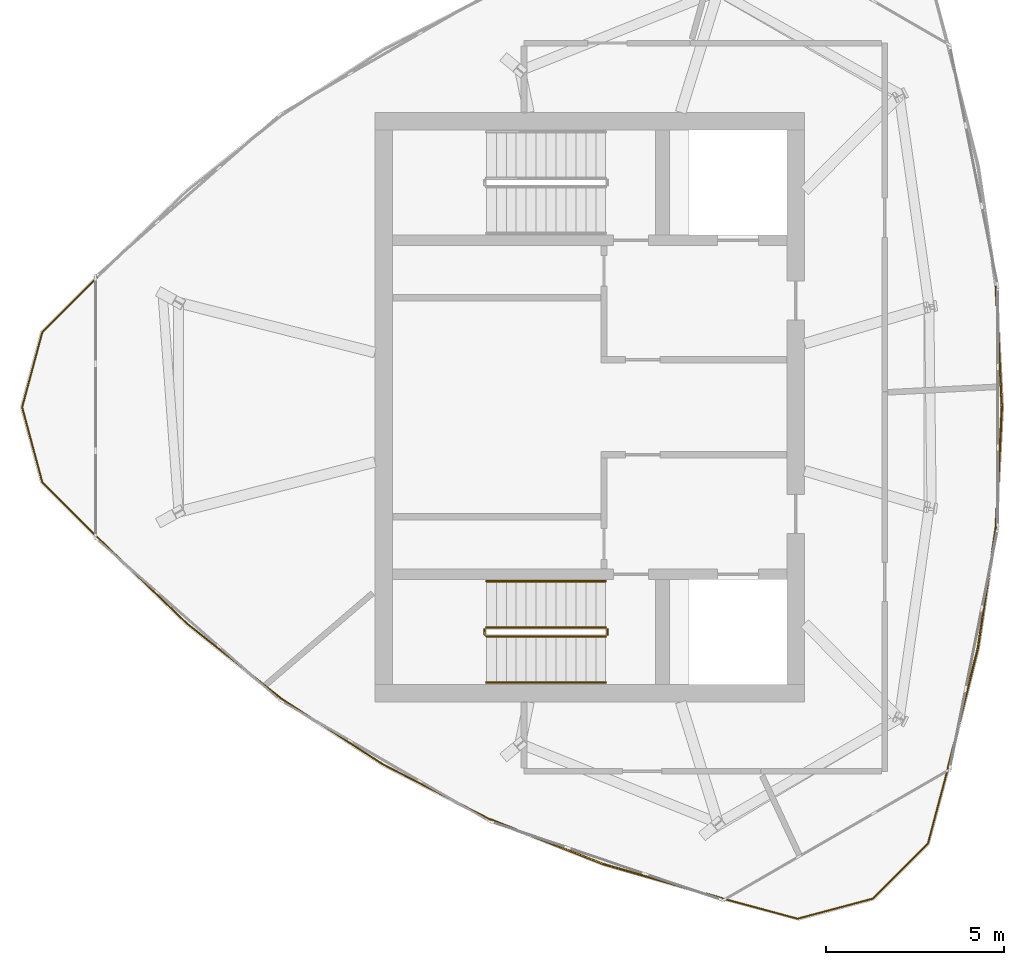
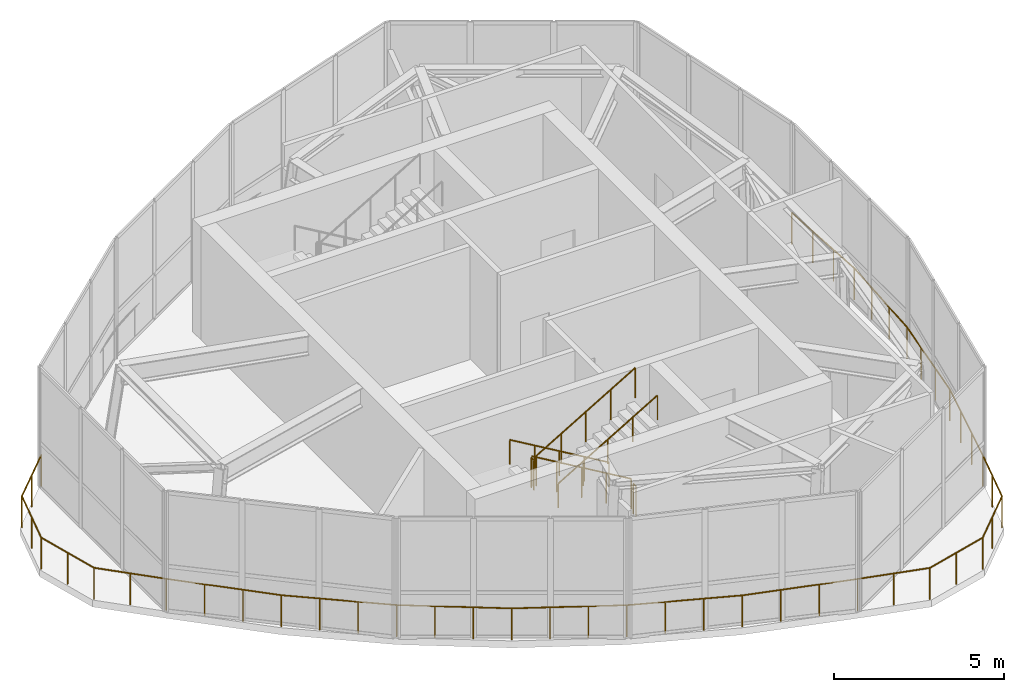
# One storey, part 9 of 10: 13 railings.
"""IFC4 building model written with IfcOpenShell, lengths in metres."""

from ifc_helpers import new_model, si_unit, direction, frame, origin, origin_2d, place, context, subcontext, project, spatial, circle, extrude, source, transform, mapped, material, type_object, element, save


model = new_model("IFC4")

# Units and contexts
model_context = context("Model", 3, precision=1e-05, world=origin(), true_north=direction((0.0, 1.0)))
body_context = subcontext(model_context, "Body", "Model", "MODEL_VIEW")
ifc_project = project(units=[si_unit("LENGTHUNIT", "METRE"), si_unit("AREAUNIT", "SQUARE_METRE"), si_unit("VOLUMEUNIT", "CUBIC_METRE"), si_unit("PLANEANGLEUNIT", "RADIAN"), si_unit("MASSUNIT", "GRAM", prefix="KILO")], contexts=[model_context])

# Site, building, storey
site_placement = place(None, origin())
site = spatial("IfcSite", under=ifc_project, at=site_placement, CompositionType="ELEMENT")
building_placement = place(site_placement, origin())
building = spatial("IfcBuilding", under=site, at=building_placement, Name="Qafzar Sky-Pleat Residences", CompositionType="ELEMENT")
storey_placement = place(building_placement, frame((0.0, 0.0, 270.39990234375)))
storey = spatial("IfcBuildingStorey", under=building, at=storey_placement, Name="L80 Crown", CompositionType="ELEMENT", Elevation=270.39990234375)

# Railings
ifc_material_1 = material(Name="Galvanised and bronze-coated Steel S355 guardrail", Category="steel")
railing_type_1 = type_object("IfcRailingType", Name="RAIL-EXT-1150", PredefinedType="GUARDRAIL", material=ifc_material_1)
shared_shape_1 = source(origin(), body_context, "Body", "SweptSolid", [
    extrude(circle(Radius=0.02392578125, at=origin_2d()), frame((0.0, 0.0, 1.1259765625), z_axis=(-0.708662810567, -0.705547320114, 0.0), x_axis=(0.705547320114, -0.708662810567, 0.0)), (0.0, 0.0, 1.0), 2.194091796875),
    extrude(circle(Radius=0.02392578125, at=origin_2d()), frame((-1.554931640625, -1.548095703125, 1.1259765625), z_axis=(-0.259582076405, -0.965721049584, 0.0), x_axis=(0.965721049584, -0.259582076405, 0.0)), (0.0, 0.0, 1.0), 2.1923828125),
    extrude(circle(Radius=0.02392578125, at=origin_2d()), frame((-2.1240234375, -3.665283203125, 1.1259765625), z_axis=(0.259582076405, -0.965721049584, 0.0), x_axis=(0.965721049584, 0.259582076405, 0.0)), (0.0, 0.0, 1.0), 2.1923828125),
    extrude(circle(Radius=0.02392578125, at=origin_2d()), frame((-1.554931640625, -5.782470703125, 1.1259765625), z_axis=(0.708662810567, -0.705547320114, 0.0), x_axis=(0.705547320114, 0.708662810567, 0.0)), (0.0, 0.0, 1.0), 2.194091796875),
    extrude(circle(Radius=0.02099609375, at=origin_2d()), origin(), (0.0, 0.0, 1.0), 1.101806640625),
    extrude(circle(Radius=0.02099609375, at=origin_2d()), frame((-0.77734375, -0.77392578125, 0.0)), (0.0, 0.0, 1.0), 1.101806640625),
    extrude(circle(Radius=0.02099609375, at=origin_2d()), frame((-1.554931640625, -1.548095703125, 0.0)), (0.0, 0.0, 1.0), 1.101806640625),
    extrude(circle(Radius=0.02099609375, at=origin_2d()), frame((-1.83935546875, -2.606689453125, 0.0)), (0.0, 0.0, 1.0), 1.101806640625),
    extrude(circle(Radius=0.02099609375, at=origin_2d()), frame((-2.1240234375, -3.665283203125, 0.0)), (0.0, 0.0, 1.0), 1.101806640625),
    extrude(circle(Radius=0.02099609375, at=origin_2d()), frame((-1.83935546875, -4.723876953125, 0.0)), (0.0, 0.0, 1.0), 1.101806640625),
    extrude(circle(Radius=0.02099609375, at=origin_2d()), frame((-1.554931640625, -5.782470703125, 0.0)), (0.0, 0.0, 1.0), 1.101806640625),
    extrude(circle(Radius=0.02099609375, at=origin_2d()), frame((-0.77734375, -6.556640625, 0.0)), (0.0, 0.0, 1.0), 1.101806640625),
    extrude(circle(Radius=0.02099609375, at=origin_2d()), frame((0.0, -7.33056640625, 0.0)), (0.0, 0.0, 1.0), 1.101806640625),
])
railing_1_placement = place(storey_placement, frame((16.49609375, 29.665283203125, 0.0)))
element("IfcRailing", 1, at=railing_1_placement, inside=storey, type_object=railing_type_1, Name="L80 Crown Corner Maintenance Guardrail 1", PredefinedType="GUARDRAIL", context=body_context, shape_type="MappedRepresentation", body=[
    mapped(shared_shape_1, transform((0.0, 0.0, 0.0), x_axis=(1.0, 0.0, 0.0), y_axis=(0.0, 1.0, 0.0), z_axis=(0.0, 0.0, 1.0), scale=1.0)),
])
shared_shape_2 = source(origin(), body_context, "Body", "SweptSolid", [
    extrude(circle(Radius=0.02392578125, at=origin_2d()), frame((0.0, 0.0, 1.1259765625), z_axis=(0.72007661969, -0.693894560993, 0.0), x_axis=(0.693894560993, 0.72007661969, 0.0)), (0.0, 0.0, 1.0), 3.487548828125),
    extrude(circle(Radius=0.02392578125, at=origin_2d()), frame((2.51123046875, -2.419921875, 1.1259765625), z_axis=(0.782753665972, -0.622331662707, 0.0), x_axis=(0.622331662707, 0.782753665972, 0.0)), (0.0, 0.0, 1.0), 3.418212890625),
    extrude(circle(Radius=0.02099609375, at=origin_2d()), origin(), (0.0, 0.0, 1.0), 1.101806640625),
    extrude(circle(Radius=0.02099609375, at=origin_2d()), frame((0.837158203125, -0.806640625, 0.0)), (0.0, 0.0, 1.0), 1.101806640625),
    extrude(circle(Radius=0.02099609375, at=origin_2d()), frame((1.674072265625, -1.61328125, 0.0)), (0.0, 0.0, 1.0), 1.101806640625),
    extrude(circle(Radius=0.02099609375, at=origin_2d()), frame((2.51123046875, -2.419921875, 0.0)), (0.0, 0.0, 1.0), 1.101806640625),
    extrude(circle(Radius=0.02099609375, at=origin_2d()), frame((3.403076171875, -3.12890625, 0.0)), (0.0, 0.0, 1.0), 1.101806640625),
    extrude(circle(Radius=0.02099609375, at=origin_2d()), frame((4.294921875, -3.838134765625, 0.0)), (0.0, 0.0, 1.0), 1.101806640625),
    extrude(circle(Radius=0.02099609375, at=origin_2d()), frame((5.186767578125, -4.547119140625, 0.0)), (0.0, 0.0, 1.0), 1.101806640625),
])
railing_2_placement = place(storey_placement, frame((16.49609375, 22.334716796875, 0.0)))
element("IfcRailing", 2, at=railing_2_placement, inside=storey, type_object=railing_type_1, Name="L80 Crown Corner Maintenance Guardrail 2", PredefinedType="GUARDRAIL", context=body_context, shape_type="MappedRepresentation", body=[
    mapped(shared_shape_2, transform((0.0, 0.0, 0.0), x_axis=(1.0, 0.0, 0.0), y_axis=(0.0, 1.0, 0.0), z_axis=(0.0, 0.0, 1.0), scale=1.0)),
])
shared_shape_3 = source(origin(), body_context, "Body", "SweptSolid", [
    extrude(circle(Radius=0.02392578125, at=origin_2d()), frame((0.0, 0.0, 1.1259765625), z_axis=(0.839705624477, -0.543041862311, 0.0), x_axis=(0.543041862311, 0.839705624477, 0.0)), (0.0, 0.0, 1.0), 3.384033203125),
    extrude(circle(Radius=0.02392578125, at=origin_2d()), frame((2.841552734375, -1.837646484375, 1.1259765625), z_axis=(0.889250101292, -0.457421312744, 0.0), x_axis=(0.457421312744, 0.889250101292, 0.0)), (0.0, 0.0, 1.0), 3.386474609375),
    extrude(circle(Radius=0.02099609375, at=origin_2d()), origin(), (0.0, 0.0, 1.0), 1.101806640625),
    extrude(circle(Radius=0.02099609375, at=origin_2d()), frame((0.947265625, -0.612548828125, 0.0)), (0.0, 0.0, 1.0), 1.101806640625),
    extrude(circle(Radius=0.02099609375, at=origin_2d()), frame((1.894287109375, -1.22509765625, 0.0)), (0.0, 0.0, 1.0), 1.101806640625),
    extrude(circle(Radius=0.02099609375, at=origin_2d()), frame((2.841552734375, -1.837646484375, 0.0)), (0.0, 0.0, 1.0), 1.101806640625),
    extrude(circle(Radius=0.02099609375, at=origin_2d()), frame((3.845458984375, -2.35400390625, 0.0)), (0.0, 0.0, 1.0), 1.101806640625),
    extrude(circle(Radius=0.02099609375, at=origin_2d()), frame((4.84912109375, -2.870361328125, 0.0)), (0.0, 0.0, 1.0), 1.101806640625),
    extrude(circle(Radius=0.02099609375, at=origin_2d()), frame((5.85302734375, -3.38671875, 0.0)), (0.0, 0.0, 1.0), 1.101806640625),
])
railing_3_placement = place(storey_placement, frame((21.682861328125, 17.78759765625, 0.0)))
element("IfcRailing", 3, at=railing_3_placement, inside=storey, type_object=railing_type_1, Name="L80 Crown Corner Maintenance Guardrail 3", PredefinedType="GUARDRAIL", context=body_context, shape_type="MappedRepresentation", body=[
    mapped(shared_shape_3, transform((0.0, 0.0, 0.0), x_axis=(1.0, 0.0, 0.0), y_axis=(0.0, 1.0, 0.0), z_axis=(0.0, 0.0, 1.0), scale=1.0)),
])
shared_shape_4 = source(origin(), body_context, "Body", "SweptSolid", [
    extrude(circle(Radius=0.02392578125, at=origin_2d()), frame((0.0, 0.0, 1.1259765625), z_axis=(0.92993009912, -0.367736333193, 0.0), x_axis=(0.367736333193, 0.92993009912, 0.0)), (0.0, 0.0, 1.0), 3.423828125),
    extrude(circle(Radius=0.02392578125, at=origin_2d()), frame((3.183837890625, -1.259033203125, 1.1259765625), z_axis=(0.960880478135, -0.276963367143, 0.0), x_axis=(0.276963367143, 0.960880478135, 0.0)), (0.0, 0.0, 1.0), 3.493408203125),
    extrude(circle(Radius=0.02099609375, at=origin_2d()), origin(), (0.0, 0.0, 1.0), 1.101806640625),
    extrude(circle(Radius=0.02099609375, at=origin_2d()), frame((1.061279296875, -0.419677734375, 0.0)), (0.0, 0.0, 1.0), 1.101806640625),
    extrude(circle(Radius=0.02099609375, at=origin_2d()), frame((2.12255859375, -0.83935546875, 0.0)), (0.0, 0.0, 1.0), 1.101806640625),
    extrude(circle(Radius=0.02099609375, at=origin_2d()), frame((3.183837890625, -1.259033203125, 0.0)), (0.0, 0.0, 1.0), 1.101806640625),
    extrude(circle(Radius=0.02099609375, at=origin_2d()), frame((4.302734375, -1.58154296875, 0.0)), (0.0, 0.0, 1.0), 1.101806640625),
    extrude(circle(Radius=0.02099609375, at=origin_2d()), frame((5.421630859375, -1.904052734375, 0.0)), (0.0, 0.0, 1.0), 1.101806640625),
    extrude(circle(Radius=0.02099609375, at=origin_2d()), frame((6.54052734375, -2.2265625, 0.0)), (0.0, 0.0, 1.0), 1.101806640625),
])
railing_4_placement = place(storey_placement, frame((27.535888671875, 14.40087890625, 0.0)))
element("IfcRailing", 4, at=railing_4_placement, inside=storey, type_object=railing_type_1, Name="L80 Crown Corner Maintenance Guardrail 4", PredefinedType="GUARDRAIL", context=body_context, shape_type="MappedRepresentation", body=[
    mapped(shared_shape_4, transform((0.0, 0.0, 0.0), x_axis=(1.0, 0.0, 0.0), y_axis=(0.0, 1.0, 0.0), z_axis=(0.0, 0.0, 1.0), scale=1.0)),
])
shared_shape_5 = source(origin(), body_context, "Body", "SweptSolid", [
    extrude(circle(Radius=0.02392578125, at=origin_2d()), frame((0.0, 0.0, 1.1259765625), z_axis=(0.96545033274, -0.260587135161, 0.0), x_axis=(0.260587135161, 0.96545033274, 0.0)), (0.0, 0.0, 1.0), 2.197021484375),
    extrude(circle(Radius=0.02392578125, at=origin_2d()), frame((2.12109375, -0.572509765625, 1.1259765625), z_axis=(0.966214627559, 0.257738808664, 0.0), x_axis=(-0.257738808664, 0.966214627559, 0.0)), (0.0, 0.0, 1.0), 2.19482421875),
    extrude(circle(Radius=0.02392578125, at=origin_2d()), frame((4.24169921875, -0.0068359375, 1.1259765625), z_axis=(0.706884210608, 0.70732928173, 0.0), x_axis=(-0.70732928173, 0.706884210608, 0.0)), (0.0, 0.0, 1.0), 2.194091796875),
    extrude(circle(Radius=0.02392578125, at=origin_2d()), frame((5.792724609375, 1.545166015625, 1.1259765625), z_axis=(0.257316576245, 0.966327159708, 0.0), x_axis=(-0.966327159708, 0.257316576245, 0.0)), (0.0, 0.0, 1.0), 2.195556640625),
    extrude(circle(Radius=0.02099609375, at=origin_2d()), origin(), (0.0, 0.0, 1.0), 1.101806640625),
    extrude(circle(Radius=0.02099609375, at=origin_2d()), frame((1.060546875, -0.2861328125, 0.0)), (0.0, 0.0, 1.0), 1.101806640625),
    extrude(circle(Radius=0.02099609375, at=origin_2d()), frame((2.12109375, -0.572509765625, 0.0)), (0.0, 0.0, 1.0), 1.101806640625),
    extrude(circle(Radius=0.02099609375, at=origin_2d()), frame((3.181396484375, -0.28955078125, 0.0)), (0.0, 0.0, 1.0), 1.101806640625),
    extrude(circle(Radius=0.02099609375, at=origin_2d()), frame((4.24169921875, -0.0068359375, 0.0)), (0.0, 0.0, 1.0), 1.101806640625),
    extrude(circle(Radius=0.02099609375, at=origin_2d()), frame((5.01708984375, 0.76904296875, 0.0)), (0.0, 0.0, 1.0), 1.101806640625),
    extrude(circle(Radius=0.02099609375, at=origin_2d()), frame((5.792724609375, 1.545166015625, 0.0)), (0.0, 0.0, 1.0), 1.101806640625),
    extrude(circle(Radius=0.02099609375, at=origin_2d()), frame((6.0751953125, 2.60595703125, 0.0)), (0.0, 0.0, 1.0), 1.101806640625),
    extrude(circle(Radius=0.02099609375, at=origin_2d()), frame((6.357666015625, 3.666748046875, 0.0)), (0.0, 0.0, 1.0), 1.101806640625),
])
railing_5_placement = place(storey_placement, frame((34.076416015625, 12.17431640625, 0.0)))
element("IfcRailing", 5, at=railing_5_placement, inside=storey, type_object=railing_type_1, Name="L80 Crown Corner Maintenance Guardrail 5", PredefinedType="GUARDRAIL", context=body_context, shape_type="MappedRepresentation", body=[
    mapped(shared_shape_5, transform((0.0, 0.0, 0.0), x_axis=(1.0, 0.0, 0.0), y_axis=(0.0, 1.0, 0.0), z_axis=(0.0, 0.0, 1.0), scale=1.0)),
])
shared_shape_6 = source(origin(), body_context, "Body", "SweptSolid", [
    extrude(circle(Radius=0.02392578125, at=origin_2d()), frame((0.0, 0.0, 1.1259765625), z_axis=(0.241383735668, 0.97042974612, 0.0), x_axis=(-0.97042974612, 0.241383735668, 0.0)), (0.0, 0.0, 1.0), 3.491455078125),
    extrude(circle(Radius=0.02392578125, at=origin_2d()), frame((0.8427734375, 3.38818359375, 1.1259765625), z_axis=(0.147548801842, 0.98905477658, 0.0), x_axis=(-0.98905477658, 0.147548801842, 0.0)), (0.0, 0.0, 1.0), 3.42333984375),
    extrude(circle(Radius=0.02099609375, at=origin_2d()), origin(), (0.0, 0.0, 1.0), 1.101806640625),
    extrude(circle(Radius=0.02099609375, at=origin_2d()), frame((0.281005859375, 1.12939453125, 0.0)), (0.0, 0.0, 1.0), 1.101806640625),
    extrude(circle(Radius=0.02099609375, at=origin_2d()), frame((0.561767578125, 2.2587890625, 0.0)), (0.0, 0.0, 1.0), 1.101806640625),
    extrude(circle(Radius=0.02099609375, at=origin_2d()), frame((0.8427734375, 3.38818359375, 0.0)), (0.0, 0.0, 1.0), 1.101806640625),
    extrude(circle(Radius=0.02099609375, at=origin_2d()), frame((1.01123046875, 4.516845703125, 0.0)), (0.0, 0.0, 1.0), 1.101806640625),
    extrude(circle(Radius=0.02099609375, at=origin_2d()), frame((1.179443359375, 5.6455078125, 0.0)), (0.0, 0.0, 1.0), 1.101806640625),
    extrude(circle(Radius=0.02099609375, at=origin_2d()), frame((1.347900390625, 6.774169921875, 0.0)), (0.0, 0.0, 1.0), 1.101806640625),
])
railing_6_placement = place(storey_placement, frame((40.43408203125, 15.841064453125, 0.0)))
element("IfcRailing", 6, at=railing_6_placement, inside=storey, type_object=railing_type_1, Name="L80 Crown Corner Maintenance Guardrail 6", PredefinedType="GUARDRAIL", context=body_context, shape_type="MappedRepresentation", body=[
    mapped(shared_shape_6, transform((0.0, 0.0, 0.0), x_axis=(1.0, 0.0, 0.0), y_axis=(0.0, 1.0, 0.0), z_axis=(0.0, 0.0, 1.0), scale=1.0)),
])
shared_shape_7 = source(origin(), body_context, "Body", "SweptSolid", [
    extrude(circle(Radius=0.02392578125, at=origin_2d()), frame((0.0, 0.0, 1.1259765625), z_axis=(0.04963579974, 0.998767384021, 0.0), x_axis=(-0.998767384021, 0.04963579974, 0.0)), (0.0, 0.0, 1.0), 3.388916015625),
    extrude(circle(Radius=0.02392578125, at=origin_2d()), frame((0.168212890625, 3.384765625, 1.1259765625), z_axis=(-0.04963579974, 0.998767384021, 0.0), x_axis=(-0.998767384021, -0.04963579974, 0.0)), (0.0, 0.0, 1.0), 3.388916015625),
    extrude(circle(Radius=0.02099609375, at=origin_2d()), origin(), (0.0, 0.0, 1.0), 1.101806640625),
    extrude(circle(Radius=0.02099609375, at=origin_2d()), frame((0.05615234375, 1.128173828125, 0.0)), (0.0, 0.0, 1.0), 1.101806640625),
    extrude(circle(Radius=0.02099609375, at=origin_2d()), frame((0.112060546875, 2.256591796875, 0.0)), (0.0, 0.0, 1.0), 1.101806640625),
    extrude(circle(Radius=0.02099609375, at=origin_2d()), frame((0.168212890625, 3.384765625, 0.0)), (0.0, 0.0, 1.0), 1.101806640625),
    extrude(circle(Radius=0.02099609375, at=origin_2d()), frame((0.112060546875, 4.512939453125, 0.0)), (0.0, 0.0, 1.0), 1.101806640625),
    extrude(circle(Radius=0.02099609375, at=origin_2d()), frame((0.05615234375, 5.641357421875, 0.0)), (0.0, 0.0, 1.0), 1.101806640625),
    extrude(circle(Radius=0.02099609375, at=origin_2d()), frame((0.0, 6.76953125, 0.0)), (0.0, 0.0, 1.0), 1.101806640625),
])
railing_7_placement = place(storey_placement, frame((41.781982421875, 22.615234375, 0.0)))
element("IfcRailing", 7, at=railing_7_placement, inside=storey, type_object=railing_type_1, Name="L80 Crown Corner Maintenance Guardrail 7", PredefinedType="GUARDRAIL", context=body_context, shape_type="MappedRepresentation", body=[
    mapped(shared_shape_7, transform((0.0, 0.0, 0.0), x_axis=(1.0, 0.0, 0.0), y_axis=(0.0, 1.0, 0.0), z_axis=(0.0, 0.0, 1.0), scale=1.0)),
])
ifc_material_2 = material(Name="Painted Steel S355 stair guardrail", Category="steel")
railing_type_2 = type_object("IfcRailingType", Name="RAIL-STAIR-GUARD", PredefinedType="GUARDRAIL", material=ifc_material_2)
shared_shape_8 = source(origin(), body_context, "Body", "SweptSolid", [
    extrude(circle(Radius=0.02392578125, at=origin_2d()), frame((0.0, 0.0, 1.076171875), z_axis=(0.0, -1.0, 0.0), x_axis=(1.0, 0.0, 0.0)), (0.0, 0.0, 1.0), 0.14990234375),
    extrude(circle(Radius=0.02099609375, at=origin_2d()), origin(), (0.0, 0.0, 1.0), 1.052001953125),
    extrude(circle(Radius=0.02099609375, at=origin_2d()), frame((0.0, -0.14990234375, 0.0)), (0.0, 0.0, 1.0), 1.052001953125),
])
for number, where, name in (
    (8, (27.389892578125, 19.75, 2.150146484375), "L80 Crown ST1 stair guard 2"),
    (9, (30.85009765625, 19.75, 0.0), "L80 Crown ST1 stair guard 4"),
):
    element("IfcRailing", number, at=place(storey_placement, frame(where)), inside=storey, type_object=railing_type_2, Name=name, PredefinedType="GUARDRAIL", context=body_context, shape_type="MappedRepresentation", body=[
        mapped(shared_shape_8, transform((0.0, 0.0, 0.0), x_axis=(1.0, 0.0, 0.0), y_axis=(0.0, 1.0, 0.0), z_axis=(0.0, 0.0, 1.0), scale=1.0)),
    ])
shared_shape_9 = source(origin(), body_context, "Body", "SweptSolid", [
    extrude(circle(Radius=0.02392578125, at=origin_2d()), frame((0.0, 0.0, 1.076171875), z_axis=(-0.861027394533, 0.0, 0.50855857663), x_axis=(0.0, -1.0, 0.0)), (0.0, 0.0, 1.0), 3.90234375),
    extrude(circle(Radius=0.02099609375, at=origin_2d()), origin(), (0.0, 0.0, 1.0), 1.052001953125),
    extrude(circle(Radius=0.02099609375, at=origin_2d()), frame((-0.840087890625, 0.0, 0.49609375)), (0.0, 0.0, 1.0), 1.052001953125),
    extrude(circle(Radius=0.02099609375, at=origin_2d()), frame((-1.68017578125, 0.0, 0.9921875)), (0.0, 0.0, 1.0), 1.052001953125),
    extrude(circle(Radius=0.02099609375, at=origin_2d()), frame((-2.52001953125, 0.0, 1.488525390625)), (0.0, 0.0, 1.0), 1.052001953125),
    extrude(circle(Radius=0.02099609375, at=origin_2d()), frame((-3.360107421875, 0.0, 1.984619140625)), (0.0, 0.0, 1.0), 1.052001953125),
])
railing_8_placement = place(storey_placement, frame((30.800048828125, 19.800048828125, 0.16552734375)))
element("IfcRailing", 10, at=railing_8_placement, inside=storey, type_object=railing_type_2, Name="L80 Crown ST1 stair guard 1", PredefinedType="GUARDRAIL", context=body_context, shape_type="MappedRepresentation", body=[
    mapped(shared_shape_9, transform((0.0, 0.0, 0.0), x_axis=(1.0, 0.0, 0.0), y_axis=(0.0, 1.0, 0.0), z_axis=(0.0, 0.0, 1.0), scale=1.0)),
])
shared_shape_10 = source(origin(), body_context, "Body", "SweptSolid", [
    extrude(circle(Radius=0.02392578125, at=origin_2d()), frame((0.0, 0.0, 1.076171875), z_axis=(0.861027394533, 0.0, 0.50855857663), x_axis=(0.0, 1.0, 0.0)), (0.0, 0.0, 1.0), 3.90234375),
    extrude(circle(Radius=0.02099609375, at=origin_2d()), origin(), (0.0, 0.0, 1.0), 1.052001953125),
    extrude(circle(Radius=0.02099609375, at=origin_2d()), frame((0.840087890625, 0.0, 0.49609375)), (0.0, 0.0, 1.0), 1.052001953125),
    extrude(circle(Radius=0.02099609375, at=origin_2d()), frame((1.68017578125, 0.0, 0.9921875)), (0.0, 0.0, 1.0), 1.052001953125),
    extrude(circle(Radius=0.02099609375, at=origin_2d()), frame((2.52001953125, 0.0, 1.488525390625)), (0.0, 0.0, 1.0), 1.052001953125),
    extrude(circle(Radius=0.02099609375, at=origin_2d()), frame((3.360107421875, 0.0, 1.984619140625)), (0.0, 0.0, 1.0), 1.052001953125),
])
railing_9_placement = place(storey_placement, frame((27.43994140625, 19.550048828125, 2.3154296875)))
element("IfcRailing", 11, at=railing_9_placement, inside=storey, type_object=railing_type_2, Name="L80 Crown ST1 stair guard 3", PredefinedType="GUARDRAIL", context=body_context, shape_type="MappedRepresentation", body=[
    mapped(shared_shape_10, transform((0.0, 0.0, 0.0), x_axis=(1.0, 0.0, 0.0), y_axis=(0.0, 1.0, 0.0), z_axis=(0.0, 0.0, 1.0), scale=1.0)),
])
ifc_material_3 = material(Name="Brushed stainless steel handrail", Category="steel")
railing_type_3 = type_object("IfcRailingType", Name="RAIL-STAIR-HAND", PredefinedType="HANDRAIL", material=ifc_material_3)
shared_shape_11 = source(origin(), body_context, "Body", "SweptSolid", [
    extrude(circle(Radius=0.02392578125, at=origin_2d()), frame((0.0, 0.0, 0.8759765625), z_axis=(-0.861027394533, 0.0, 0.50855857663), x_axis=(0.0, -1.0, 0.0)), (0.0, 0.0, 1.0), 3.90234375),
    extrude(circle(Radius=0.02099609375, at=origin_2d()), origin(), (0.0, 0.0, 1.0), 0.851806640625),
    extrude(circle(Radius=0.02099609375, at=origin_2d()), frame((-0.840087890625, 0.0, 0.49609375)), (0.0, 0.0, 1.0), 0.851806640625),
    extrude(circle(Radius=0.02099609375, at=origin_2d()), frame((-1.68017578125, 0.0, 0.9921875)), (0.0, 0.0, 1.0), 0.851806640625),
    extrude(circle(Radius=0.02099609375, at=origin_2d()), frame((-2.52001953125, 0.0, 1.488525390625)), (0.0, 0.0, 1.0), 0.851806640625),
    extrude(circle(Radius=0.02099609375, at=origin_2d()), frame((-3.360107421875, 0.0, 1.984619140625)), (0.0, 0.0, 1.0), 0.851806640625),
])
railing_10_placement = place(storey_placement, frame((30.800048828125, 21.10009765625, 0.16552734375)))
element("IfcRailing", 12, at=railing_10_placement, inside=storey, type_object=railing_type_3, Name="L80 Crown ST1 stair handrail 1", PredefinedType="HANDRAIL", context=body_context, shape_type="MappedRepresentation", body=[
    mapped(shared_shape_11, transform((0.0, 0.0, 0.0), x_axis=(1.0, 0.0, 0.0), y_axis=(0.0, 1.0, 0.0), z_axis=(0.0, 0.0, 1.0), scale=1.0)),
])
shared_shape_12 = source(origin(), body_context, "Body", "SweptSolid", [
    extrude(circle(Radius=0.02392578125, at=origin_2d()), frame((0.0, 0.0, 0.8759765625), z_axis=(0.861027394533, 0.0, 0.50855857663), x_axis=(0.0, 1.0, 0.0)), (0.0, 0.0, 1.0), 3.90234375),
    extrude(circle(Radius=0.02099609375, at=origin_2d()), origin(), (0.0, 0.0, 1.0), 0.851806640625),
    extrude(circle(Radius=0.02099609375, at=origin_2d()), frame((0.840087890625, 0.0, 0.49609375)), (0.0, 0.0, 1.0), 0.851806640625),
    extrude(circle(Radius=0.02099609375, at=origin_2d()), frame((1.68017578125, 0.0, 0.9921875)), (0.0, 0.0, 1.0), 0.851806640625),
    extrude(circle(Radius=0.02099609375, at=origin_2d()), frame((2.52001953125, 0.0, 1.488525390625)), (0.0, 0.0, 1.0), 0.851806640625),
    extrude(circle(Radius=0.02099609375, at=origin_2d()), frame((3.360107421875, 0.0, 1.984619140625)), (0.0, 0.0, 1.0), 0.851806640625),
])
railing_11_placement = place(storey_placement, frame((27.43994140625, 18.25, 2.3154296875)))
element("IfcRailing", 13, at=railing_11_placement, inside=storey, type_object=railing_type_3, Name="L80 Crown ST1 stair handrail 2", PredefinedType="HANDRAIL", context=body_context, shape_type="MappedRepresentation", body=[
    mapped(shared_shape_12, transform((0.0, 0.0, 0.0), x_axis=(1.0, 0.0, 0.0), y_axis=(0.0, 1.0, 0.0), z_axis=(0.0, 0.0, 1.0), scale=1.0)),
])

save(model, "model.ifc")
